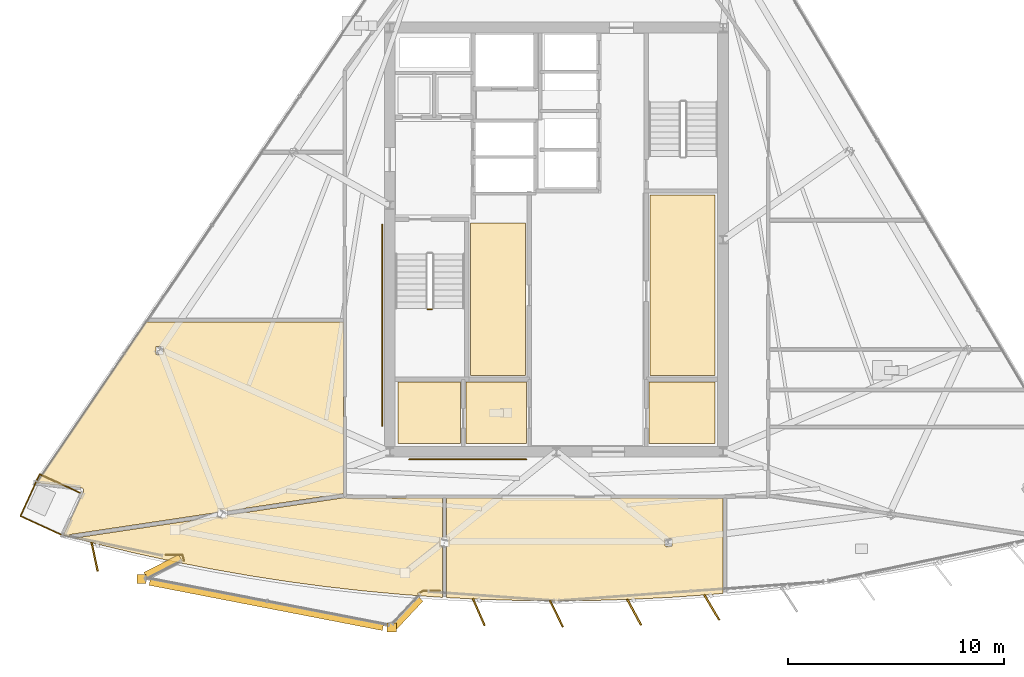
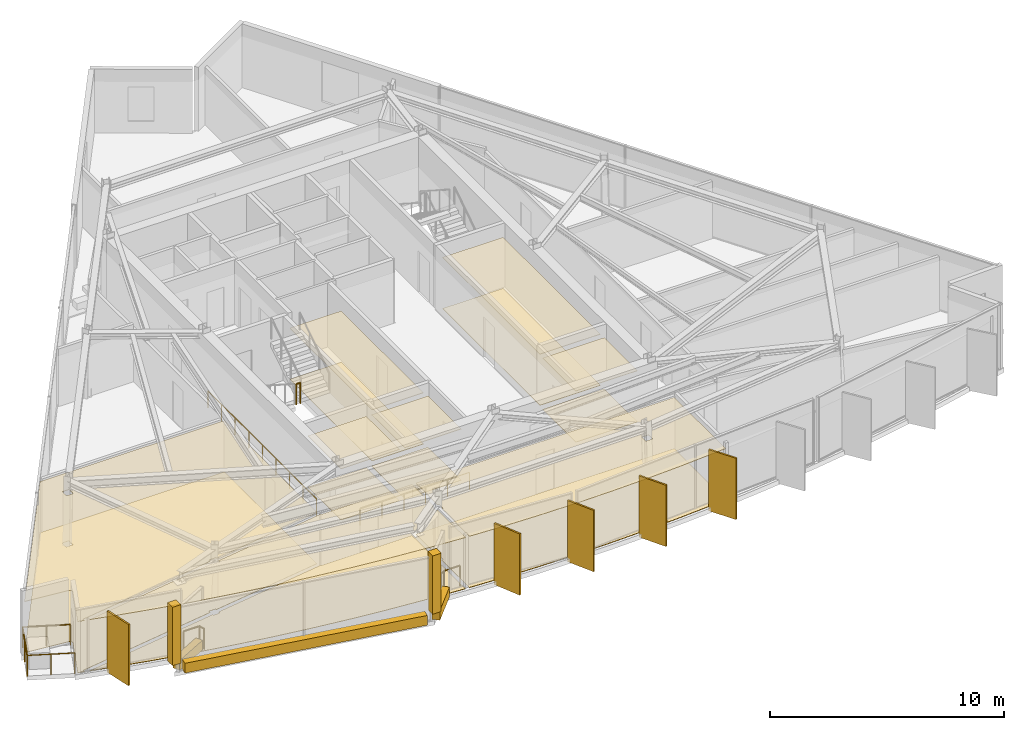
# One storey, part 10 of 13: 21 coverings, 8 railings, 5 shading devices.
"""IFC4 building model written with IfcOpenShell, lengths in metres."""

from ifc_helpers import new_model, si_unit, direction, frame, origin, origin_2d, place, context, subcontext, project, spatial, polyline, rectangle, circle, outline, extrude, material, layer, layer_set, type_object, element, save


model = new_model("IFC4")

# Units and contexts
model_context = context("Model", 3, precision=1e-05, world=origin(), true_north=direction((0.0, 1.0)))
body_context = subcontext(model_context, "Body", "Model", "MODEL_VIEW")
ifc_project = project(units=[si_unit("LENGTHUNIT", "METRE"), si_unit("AREAUNIT", "SQUARE_METRE"), si_unit("VOLUMEUNIT", "CUBIC_METRE"), si_unit("PLANEANGLEUNIT", "RADIAN"), si_unit("MASSUNIT", "GRAM", prefix="KILO")], contexts=[model_context])

# Site, building, storey
site_placement = place(None, origin())
site = spatial("IfcSite", under=ifc_project, at=site_placement, CompositionType="ELEMENT")
building_placement = place(site_placement, origin())
building = spatial("IfcBuilding", under=site, at=building_placement, Name="Savorim Split Tower", CompositionType="ELEMENT")
storey_placement = place(building_placement, frame((0.0, 0.0, 272.39990234375)))
storey = spatial("IfcBuildingStorey", under=building, at=storey_placement, Name="L72", CompositionType="ELEMENT", Elevation=272.39990234375)

# Coverings
ifc_material_1 = material(Name="Mineral Fibre Acoustic Ceiling")
ifc_layer_1 = layer(ifc_material_1, 0.02490234375)
ifc_layer_set_1 = layer_set([ifc_layer_1], Name="COV-CEIL-25")
covering_type_1 = type_object("IfcCoveringType", Name="COV-CEIL-25", PredefinedType="CEILING", material=ifc_layer_set_1)
covering_1_placement = place(storey_placement, frame((0.0, 0.0, 2.670166015625)))
element("IfcCovering", 1, at=covering_1_placement, inside=storey, type_object=covering_type_1, Name="L72 Shared Pantry and Linen Room Acoustic Ceiling", PredefinedType="CEILING", context=body_context, shape_type="SweptSolid", body=[
    extrude(outline(polyline([(4.330078125, 2.469970703125), (4.330078125, -5.8701171875), (7.320068359375, -5.8701171875), (7.320068359375, 2.469970703125), (4.330078125, 2.469970703125)])), origin(), (0.0, 0.0, 1.0), 0.02490234375),
])
covering_2_placement = place(storey_placement, frame((0.0, 0.0, 2.670166015625)))
element("IfcCovering", 2, at=covering_2_placement, inside=storey, type_object=covering_type_1, Name="L72 Housekeeping and Parcel Room Acoustic Ceiling", PredefinedType="CEILING", context=body_context, shape_type="SweptSolid", body=[
    extrude(outline(polyline([(-3.969970703125, 1.169921875), (-3.969970703125, -5.8701171875), (-1.429931640625, -5.8701171875), (-1.429931640625, 1.169921875), (-3.969970703125, 1.169921875)])), origin(), (0.0, 0.0, 1.0), 0.02490234375),
])
covering_3_placement = place(storey_placement, frame((0.0, 0.0, 2.670166015625)))
element("IfcCovering", 3, at=covering_3_placement, inside=storey, type_object=covering_type_1, Name="L72 Housekeeping Store Acoustic Ceiling", PredefinedType="CEILING", context=body_context, shape_type="SweptSolid", body=[
    extrude(outline(polyline([(-7.320068359375, -6.179931640625), (-7.320068359375, -9.02001953125), (-4.429931640625, -9.02001953125), (-4.429931640625, -6.179931640625), (-7.320068359375, -6.179931640625)])), origin(), (0.0, 0.0, 1.0), 0.02490234375),
])
covering_4_placement = place(storey_placement, frame((0.0, 0.0, 2.670166015625)))
element("IfcCovering", 4, at=covering_4_placement, inside=storey, type_object=covering_type_1, Name="L72 Accessible WC Acoustic Ceiling", PredefinedType="CEILING", context=body_context, shape_type="SweptSolid", body=[
    extrude(outline(polyline([(-4.169921875, -6.179931640625), (-4.169921875, -9.02001953125), (-1.3798828125, -9.02001953125), (-1.3798828125, -6.179931640625), (-4.169921875, -6.179931640625)])), origin(), (0.0, 0.0, 1.0), 0.02490234375),
])
covering_5_placement = place(storey_placement, frame((0.0, 0.0, 2.670166015625)))
element("IfcCovering", 5, at=covering_5_placement, inside=storey, type_object=covering_type_1, Name="L72 Core IT Server Room Acoustic Ceiling", PredefinedType="CEILING", context=body_context, shape_type="SweptSolid", body=[
    extrude(outline(polyline([(4.280029296875, -6.179931640625), (4.280029296875, -9.02001953125), (7.320068359375, -9.02001953125), (7.320068359375, -6.179931640625), (4.280029296875, -6.179931640625)])), origin(), (0.0, 0.0, 1.0), 0.02490234375),
])
covering_6_placement = place(storey_placement, frame((0.0, 0.0, 2.670166015625)))
element("IfcCovering", 6, at=covering_6_placement, inside=storey, type_object=covering_type_1, Name="L72 Co-Working Commons Acoustic Ceiling", PredefinedType="CEILING", context=body_context, shape_type="SweptSolid", body=[
    extrude(outline(polyline([(-21.83837890625, -11.17236328125), (-21.83837890625, -11.18408203125), (-21.839111328125, -11.196044921875), (-21.84130859375, -11.2080078125), (-21.8447265625, -11.21923828125), (-21.84912109375, -11.23046875), (-22.7783203125, -13.2529296875), (-22.474609375, -13.33251953125), (-22.49072265625, -13.224853515625), (-15.61083984375, -12.1953125), (-15.61083984375, -12.091796875), (-15.281982421875, -12.091796875), (-15.281982421875, -12.14599609375), (-9.85107421875, -11.333251953125), (-9.840087890625, -11.331787109375), (-9.840087890625, -3.412109375), (-18.9619140625, -3.412109375), (-24.0087890625, -10.83056640625), (-21.94482421875, -11.06103515625), (-21.93310546875, -11.06298828125), (-21.921630859375, -11.06591796875), (-21.910400390625, -11.0703125), (-21.899658203125, -11.075439453125), (-21.8896484375, -11.081787109375), (-21.880126953125, -11.089111328125), (-21.87158203125, -11.097412109375), (-21.86376953125, -11.1064453125), (-21.856689453125, -11.1162109375), (-21.850830078125, -11.12646484375), (-21.84619140625, -11.137451171875), (-21.84228515625, -11.148681640625), (-21.83984375, -11.160400390625), (-21.83837890625, -11.17236328125)]), holes=[polyline([(-18.505615234375, -4.892822265625), (-18.1767578125, -4.892822265625), (-18.1767578125, -4.542724609375), (-18.505615234375, -4.542724609375), (-18.505615234375, -4.892822265625)])]), origin(), (0.0, 0.0, 1.0), 0.02490234375),
])
covering_7_placement = place(storey_placement, frame((0.0, 0.0, 2.670166015625)))
element("IfcCovering", 7, at=covering_7_placement, inside=storey, type_object=covering_type_1, Name="L72 Communal Lounge Acoustic Ceiling", PredefinedType="CEILING", context=body_context, shape_type="SweptSolid", body=[
    extrude(outline(polyline([(-10.67529296875, -15.626953125), (-8.90283203125, -15.827392578125), (-7.126953125, -15.991455078125), (-5.34765625, -16.118896484375), (-5.27197265625, -16.122802734375), (-5.27197265625, -13.76025390625), (-5.34130859375, -13.76025390625), (-5.34130859375, -13.41015625), (-5.27197265625, -13.41015625), (-5.27197265625, -11.5400390625), (-9.699951171875, -11.5400390625), (-9.713623046875, -11.539306640625), (-9.727294921875, -11.537353515625), (-9.740478515625, -11.533935546875), (-9.753662109375, -11.529296875), (-9.76611328125, -11.5234375), (-9.77783203125, -11.516357421875), (-9.77978515625, -11.514892578125), (-15.281982421875, -12.338134765625), (-15.281982421875, -12.441650390625), (-15.61083984375, -12.441650390625), (-15.61083984375, -12.387451171875), (-22.27490234375, -13.384521484375), (-21.18994140625, -13.668212890625), (-19.45556640625, -14.084228515625), (-17.712890625, -14.464599609375), (-15.962646484375, -14.80908203125), (-14.2060546875, -15.117919921875), (-12.443359375, -15.390380859375), (-10.67529296875, -15.626953125)])), origin(), (0.0, 0.0, 1.0), 0.02490234375),
])
covering_8_placement = place(storey_placement, frame((0.0, 0.0, 2.670166015625)))
element("IfcCovering", 8, at=covering_8_placement, inside=storey, type_object=covering_type_1, Name="L72 Quiet Study Room Acoustic Ceiling", PredefinedType="CEILING", context=body_context, shape_type="SweptSolid", body=[
    extrude(outline(polyline([(3.56640625, -16.210205078125), (5.34765625, -16.118896484375), (7.126953125, -15.991455078125), (7.68798828125, -15.939697265625), (7.68798828125, -11.5400390625), (-5.081787109375, -11.5400390625), (-5.081787109375, -13.41015625), (-5.012451171875, -13.41015625), (-5.012451171875, -13.76025390625), (-5.081787109375, -13.76025390625), (-5.081787109375, -16.07763671875), (-5.081787109375, -16.132568359375), (-3.56640625, -16.210205078125), (-1.783447265625, -16.264892578125), (0.0, -16.283203125), (1.783447265625, -16.264892578125), (3.56640625, -16.210205078125)]), holes=[polyline([(5.012451171875, -13.76025390625), (5.34130859375, -13.76025390625), (5.34130859375, -13.41015625), (5.012451171875, -13.41015625), (5.012451171875, -13.76025390625)])]), origin(), (0.0, 0.0, 1.0), 0.02490234375),
])
ifc_material_2 = material(Name="Porcelain Stoneware Flooring", Category="masonry")
ifc_layer_2 = layer(ifc_material_2, 0.02001953125)
ifc_layer_set_2 = layer_set([ifc_layer_2], Name="COV-FLOR-20")
covering_type_2 = type_object("IfcCoveringType", Name="COV-FLOR-20", PredefinedType="FLOORING", material=ifc_layer_set_2)
covering_9_placement = place(storey_placement, origin())
element("IfcCovering", 9, at=covering_9_placement, inside=storey, type_object=covering_type_2, Name="L72 Shared Pantry and Linen Room Porcelain Flooring", PredefinedType="FLOORING", context=body_context, shape_type="SweptSolid", body=[
    extrude(outline(polyline([(4.330078125, 2.469970703125), (4.330078125, -5.8701171875), (7.320068359375, -5.8701171875), (7.320068359375, 2.469970703125), (4.330078125, 2.469970703125)])), origin(), (0.0, 0.0, 1.0), 0.02001953125),
])
covering_10_placement = place(storey_placement, origin())
element("IfcCovering", 10, at=covering_10_placement, inside=storey, type_object=covering_type_2, Name="L72 Housekeeping and Parcel Room Porcelain Flooring", PredefinedType="FLOORING", context=body_context, shape_type="SweptSolid", body=[
    extrude(outline(polyline([(-3.969970703125, 1.169921875), (-3.969970703125, -5.8701171875), (-1.429931640625, -5.8701171875), (-1.429931640625, 1.169921875), (-3.969970703125, 1.169921875)])), origin(), (0.0, 0.0, 1.0), 0.02001953125),
])
covering_11_placement = place(storey_placement, origin())
element("IfcCovering", 11, at=covering_11_placement, inside=storey, type_object=covering_type_2, Name="L72 Housekeeping Store Porcelain Flooring", PredefinedType="FLOORING", context=body_context, shape_type="SweptSolid", body=[
    extrude(outline(polyline([(-7.320068359375, -6.179931640625), (-7.320068359375, -9.02001953125), (-4.429931640625, -9.02001953125), (-4.429931640625, -6.179931640625), (-7.320068359375, -6.179931640625)])), origin(), (0.0, 0.0, 1.0), 0.02001953125),
])
covering_12_placement = place(storey_placement, origin())
element("IfcCovering", 12, at=covering_12_placement, inside=storey, type_object=covering_type_2, Name="L72 Accessible WC Porcelain Flooring", PredefinedType="FLOORING", context=body_context, shape_type="SweptSolid", body=[
    extrude(outline(polyline([(-4.169921875, -6.179931640625), (-4.169921875, -9.02001953125), (-1.3798828125, -9.02001953125), (-1.3798828125, -6.179931640625), (-4.169921875, -6.179931640625)])), origin(), (0.0, 0.0, 1.0), 0.02001953125),
])
covering_13_placement = place(storey_placement, origin())
element("IfcCovering", 13, at=covering_13_placement, inside=storey, type_object=covering_type_2, Name="L72 Core IT Server Room Porcelain Flooring", PredefinedType="FLOORING", context=body_context, shape_type="SweptSolid", body=[
    extrude(outline(polyline([(4.280029296875, -6.179931640625), (4.280029296875, -9.02001953125), (7.320068359375, -9.02001953125), (7.320068359375, -6.179931640625), (4.280029296875, -6.179931640625)])), origin(), (0.0, 0.0, 1.0), 0.02001953125),
])
covering_14_placement = place(storey_placement, origin())
element("IfcCovering", 14, at=covering_14_placement, inside=storey, type_object=covering_type_2, Name="L72 Co-Working Commons Porcelain Flooring", PredefinedType="FLOORING", context=body_context, shape_type="SweptSolid", body=[
    extrude(outline(polyline([(-21.83837890625, -11.17236328125), (-21.83837890625, -11.18408203125), (-21.839111328125, -11.196044921875), (-21.84130859375, -11.2080078125), (-21.8447265625, -11.21923828125), (-21.84912109375, -11.23046875), (-22.7783203125, -13.2529296875), (-22.474609375, -13.33251953125), (-22.49072265625, -13.224853515625), (-15.61083984375, -12.1953125), (-15.61083984375, -12.091796875), (-15.281982421875, -12.091796875), (-15.281982421875, -12.14599609375), (-9.85107421875, -11.333251953125), (-9.840087890625, -11.331787109375), (-9.840087890625, -3.412109375), (-18.9619140625, -3.412109375), (-24.0087890625, -10.83056640625), (-21.94482421875, -11.06103515625), (-21.93310546875, -11.06298828125), (-21.921630859375, -11.06591796875), (-21.910400390625, -11.0703125), (-21.899658203125, -11.075439453125), (-21.8896484375, -11.081787109375), (-21.880126953125, -11.089111328125), (-21.87158203125, -11.097412109375), (-21.86376953125, -11.1064453125), (-21.856689453125, -11.1162109375), (-21.850830078125, -11.12646484375), (-21.84619140625, -11.137451171875), (-21.84228515625, -11.148681640625), (-21.83984375, -11.160400390625), (-21.83837890625, -11.17236328125)]), holes=[polyline([(-18.505615234375, -4.892822265625), (-18.1767578125, -4.892822265625), (-18.1767578125, -4.542724609375), (-18.505615234375, -4.542724609375), (-18.505615234375, -4.892822265625)])]), origin(), (0.0, 0.0, 1.0), 0.02001953125),
])
covering_15_placement = place(storey_placement, origin())
element("IfcCovering", 15, at=covering_15_placement, inside=storey, type_object=covering_type_2, Name="L72 Communal Lounge Porcelain Flooring", PredefinedType="FLOORING", context=body_context, shape_type="SweptSolid", body=[
    extrude(outline(polyline([(-10.67529296875, -15.626953125), (-8.90283203125, -15.827392578125), (-7.126953125, -15.991455078125), (-5.34765625, -16.118896484375), (-5.27197265625, -16.122802734375), (-5.27197265625, -13.76025390625), (-5.34130859375, -13.76025390625), (-5.34130859375, -13.41015625), (-5.27197265625, -13.41015625), (-5.27197265625, -11.5400390625), (-9.699951171875, -11.5400390625), (-9.713623046875, -11.539306640625), (-9.727294921875, -11.537353515625), (-9.740478515625, -11.533935546875), (-9.753662109375, -11.529296875), (-9.76611328125, -11.5234375), (-9.77783203125, -11.516357421875), (-9.77978515625, -11.514892578125), (-15.281982421875, -12.338134765625), (-15.281982421875, -12.441650390625), (-15.61083984375, -12.441650390625), (-15.61083984375, -12.387451171875), (-22.27490234375, -13.384521484375), (-21.18994140625, -13.668212890625), (-19.45556640625, -14.084228515625), (-17.712890625, -14.464599609375), (-15.962646484375, -14.80908203125), (-14.2060546875, -15.117919921875), (-12.443359375, -15.390380859375), (-10.67529296875, -15.626953125)])), origin(), (0.0, 0.0, 1.0), 0.02001953125),
])
covering_16_placement = place(storey_placement, origin())
element("IfcCovering", 16, at=covering_16_placement, inside=storey, type_object=covering_type_2, Name="L72 Quiet Study Room Porcelain Flooring", PredefinedType="FLOORING", context=body_context, shape_type="SweptSolid", body=[
    extrude(outline(polyline([(3.56640625, -16.210205078125), (5.34765625, -16.118896484375), (7.126953125, -15.991455078125), (7.68798828125, -15.939697265625), (7.68798828125, -11.5400390625), (-5.081787109375, -11.5400390625), (-5.081787109375, -13.41015625), (-5.012451171875, -13.41015625), (-5.012451171875, -13.76025390625), (-5.081787109375, -13.76025390625), (-5.081787109375, -16.07763671875), (-5.081787109375, -16.132568359375), (-3.56640625, -16.210205078125), (-1.783447265625, -16.264892578125), (0.0, -16.283203125), (1.783447265625, -16.264892578125), (3.56640625, -16.210205078125)]), holes=[polyline([(5.012451171875, -13.76025390625), (5.34130859375, -13.76025390625), (5.34130859375, -13.41015625), (5.012451171875, -13.41015625), (5.012451171875, -13.76025390625)])]), origin(), (0.0, 0.0, 1.0), 0.02001953125),
])
ifc_material_3 = material(Name="White Porcelain Architectural Cladding")
ifc_layer_3 = layer(ifc_material_3, 0.139892578125)
ifc_layer_set_3 = layer_set([ifc_layer_3], Name="COV-FRM-WHITE")
covering_type_3 = type_object("IfcCoveringType", Name="COV-FRM-WHITE", PredefinedType="CLADDING", material=ifc_layer_set_3)
covering_17_placement = place(storey_placement, frame((0.0, 0.0, 0.010009765625)))
element("IfcCovering", 17, at=covering_17_placement, inside=storey, type_object=covering_type_3, Name="L72 Cantilevered Lounge White Lower Frame Band W", PredefinedType="CLADDING", context=body_context, shape_type="SweptSolid", body=[
    extrude(outline(polyline([(-17.45263671875, -14.148193359375), (-19.0546875, -14.968505859375), (-18.899658203125, -15.271240234375), (-17.297607421875, -14.45068359375), (-17.45263671875, -14.148193359375)])), origin(), (0.0, 0.0, 1.0), 0.510009765625),
])
covering_18_placement = place(storey_placement, frame((0.0, 0.0, 0.010009765625)))
element("IfcCovering", 18, at=covering_18_placement, inside=storey, type_object=covering_type_3, Name="L72 Cantilevered Lounge White Lower Frame Band F", PredefinedType="CLADDING", context=body_context, shape_type="SweptSolid", body=[
    extrude(outline(polyline([(-18.817138671875, -15.56591796875), (-8.04248046875, -17.656982421875), (-7.9775390625, -17.3232421875), (-18.75244140625, -15.232177734375), (-18.817138671875, -15.56591796875)])), origin(), (0.0, 0.0, 1.0), 0.510009765625),
])
covering_19_placement = place(storey_placement, frame((0.0, 0.0, 0.010009765625)))
element("IfcCovering", 19, at=covering_19_placement, inside=storey, type_object=covering_type_3, Name="L72 Cantilevered Lounge White Lower Frame Band E", PredefinedType="CLADDING", context=body_context, shape_type="SweptSolid", body=[
    extrude(outline(polyline([(-7.392578125, -17.609375), (-6.16162109375, -16.296142578125), (-6.40966796875, -16.0634765625), (-7.640625, -17.376708984375), (-7.392578125, -17.609375)])), origin(), (0.0, 0.0, 1.0), 0.510009765625),
])
covering_20_placement = place(storey_placement, frame((0.0, 0.0, 0.5400390625)))
element("IfcCovering", 20, at=covering_20_placement, inside=storey, type_object=covering_type_3, Name="L72 Cantilevered Lounge White Frame Corner Post 1", PredefinedType="CLADDING", context=body_context, shape_type="SweptSolid", body=[
    extrude(outline(polyline([(-19.3779296875, -15.48388671875), (-18.9580078125, -15.48388671875), (-18.9580078125, -15.063720703125), (-19.3779296875, -15.063720703125), (-19.3779296875, -15.48388671875)])), origin(), (0.0, 0.0, 1.0), 3.050048828125),
])
covering_21_placement = place(storey_placement, frame((0.0, 0.0, 0.5400390625)))
element("IfcCovering", 21, at=covering_21_placement, inside=storey, type_object=covering_type_3, Name="L72 Cantilevered Lounge White Frame Corner Post 2", PredefinedType="CLADDING", context=body_context, shape_type="SweptSolid", body=[
    extrude(outline(polyline([(-7.81787109375, -17.727294921875), (-7.397705078125, -17.727294921875), (-7.397705078125, -17.307373046875), (-7.81787109375, -17.307373046875), (-7.81787109375, -17.727294921875)])), origin(), (0.0, 0.0, 1.0), 3.050048828125),
])

# Railings
ifc_material_4 = material(Name="Galvanised Painted Steel Balustrade", Category="steel")
railing_type_1 = type_object("IfcRailingType", Name="RLG-BAL-1100", PredefinedType="BALUSTRADE", material=ifc_material_4)
railing_1_placement = place(storey_placement, frame((-18.06103515625, -14.157470703125, 0.0)))
element("IfcRailing", 22, at=railing_1_placement, inside=storey, type_object=railing_type_1, Name="L72 Cantilevered Lounge West Edge Closure Guard", PredefinedType="BALUSTRADE", context=body_context, shape_type="SweptSolid", body=[
    extrude(circle(Radius=0.02392578125, at=origin_2d()), frame((0.0, 0.0, 1.076171875), z_axis=(1.0, 0.0, 0.0), x_axis=(0.0, 1.0, 0.0)), (0.0, 0.0, 1.0), 0.780029296875),
    extrude(circle(Radius=0.02392578125, at=origin_2d()), frame((0.780029296875, 0.0, 1.076171875), z_axis=(0.260219043811, -0.965549609931, 0.0), x_axis=(0.965549609931, 0.260219043811, 0.0)), (0.0, 0.0, 1.0), 0.28515625),
    extrude(circle(Radius=0.02099609375, at=origin_2d()), origin(), (0.0, 0.0, 1.0), 1.052001953125),
    extrude(circle(Radius=0.02099609375, at=origin_2d()), frame((0.780029296875, 0.0, 0.0)), (0.0, 0.0, 1.0), 1.052001953125),
    extrude(circle(Radius=0.02099609375, at=origin_2d()), frame((0.854248046875, -0.275390625, 0.0)), (0.0, 0.0, 1.0), 1.052001953125),
])
railing_2_placement = place(storey_placement, frame((-6.3857421875, -15.96044921875, 0.0)))
element("IfcRailing", 23, at=railing_2_placement, inside=storey, type_object=railing_type_1, Name="L72 Cantilevered Lounge East Edge Closure Guard", PredefinedType="BALUSTRADE", context=body_context, shape_type="SweptSolid", body=[
    extrude(circle(Radius=0.02392578125, at=origin_2d()), frame((0.0, 0.0, 1.076171875), z_axis=(0.85212835353, 0.523332847345, 0.0), x_axis=(-0.523332847345, 0.85212835353, 0.0)), (0.0, 0.0, 1.0), 0.267333984375),
    extrude(circle(Radius=0.02392578125, at=origin_2d()), frame((0.227783203125, 0.139892578125, 1.076171875), z_axis=(1.0, 0.0, 0.0), x_axis=(0.0, 1.0, 0.0)), (0.0, 0.0, 1.0), 0.780029296875),
    extrude(circle(Radius=0.02099609375, at=origin_2d()), origin(), (0.0, 0.0, 1.0), 1.052001953125),
    extrude(circle(Radius=0.02099609375, at=origin_2d()), frame((0.227783203125, 0.139892578125, 0.0)), (0.0, 0.0, 1.0), 1.052001953125),
    extrude(circle(Radius=0.02099609375, at=origin_2d()), frame((1.0078125, 0.139892578125, 0.0)), (0.0, 0.0, 1.0), 1.052001953125),
])
railing_3_placement = place(storey_placement, frame((-22.897216796875, -13.223876953125, 0.0)))
element("IfcRailing", 24, at=railing_3_placement, inside=storey, type_object=railing_type_1, Name="L72 Tree Balcony Guardrail SW-1", PredefinedType="BALUSTRADE", context=body_context, shape_type="SweptSolid", body=[
    extrude(circle(Radius=0.02392578125, at=origin_2d()), frame((0.0, 0.0, 1.076171875), z_axis=(-0.908662190505, 0.417532062898, 0.0), x_axis=(-0.417532062898, -0.908662190505, 0.0)), (0.0, 0.0, 1.0), 2.050048828125),
    extrude(circle(Radius=0.02099609375, at=origin_2d()), origin(), (0.0, 0.0, 1.0), 1.052001953125),
    extrude(circle(Radius=0.02099609375, at=origin_2d()), frame((-0.931396484375, 0.427978515625, 0.0)), (0.0, 0.0, 1.0), 1.052001953125),
    extrude(circle(Radius=0.02099609375, at=origin_2d()), frame((-1.86279296875, 0.85595703125, 0.0)), (0.0, 0.0, 1.0), 1.052001953125),
])
railing_4_placement = place(storey_placement, frame((-24.760009765625, -12.367919921875, 0.0)))
element("IfcRailing", 25, at=railing_4_placement, inside=storey, type_object=railing_type_1, Name="L72 Tree Balcony Guardrail SW-2", PredefinedType="BALUSTRADE", context=body_context, shape_type="SweptSolid", body=[
    extrude(circle(Radius=0.02392578125, at=origin_2d()), frame((0.0, 0.0, 1.076171875), z_axis=(0.41752320278, 0.908666261694, 0.0), x_axis=(-0.908666261694, 0.41752320278, 0.0)), (0.0, 0.0, 1.0), 2.12890625),
    extrude(circle(Radius=0.02099609375, at=origin_2d()), origin(), (0.0, 0.0, 1.0), 1.052001953125),
    extrude(circle(Radius=0.02099609375, at=origin_2d()), frame((0.4443359375, 0.96728515625, 0.0)), (0.0, 0.0, 1.0), 1.052001953125),
    extrude(circle(Radius=0.02099609375, at=origin_2d()), frame((0.888916015625, 1.9345703125, 0.0)), (0.0, 0.0, 1.0), 1.052001953125),
])
railing_5_placement = place(storey_placement, frame((-23.87109375, -10.433349609375, 0.0)))
element("IfcRailing", 26, at=railing_5_placement, inside=storey, type_object=railing_type_1, Name="L72 Tree Balcony Guardrail SW-3", PredefinedType="BALUSTRADE", context=body_context, shape_type="SweptSolid", body=[
    extrude(circle(Radius=0.02392578125, at=origin_2d()), frame((0.0, 0.0, 1.076171875), z_axis=(0.908662190505, -0.417532062898, 0.0), x_axis=(0.417532062898, 0.908662190505, 0.0)), (0.0, 0.0, 1.0), 2.050048828125),
    extrude(circle(Radius=0.02099609375, at=origin_2d()), origin(), (0.0, 0.0, 1.0), 1.052001953125),
    extrude(circle(Radius=0.02099609375, at=origin_2d()), frame((0.931396484375, -0.427978515625, 0.0)), (0.0, 0.0, 1.0), 1.052001953125),
    extrude(circle(Radius=0.02099609375, at=origin_2d()), frame((1.86279296875, -0.85595703125, 0.0)), (0.0, 0.0, 1.0), 1.052001953125),
])
railing_type_2 = type_object("IfcRailingType", Name="RLG-HR-900", PredefinedType="HANDRAIL", material=ifc_material_4)
railing_6_placement = place(storey_placement, frame((-6.800048828125, -9.75, 0.0)))
element("IfcRailing", 27, at=railing_6_placement, inside=storey, type_object=railing_type_2, Name="L72 Corridor South Accessible Handrail", PredefinedType="HANDRAIL", context=body_context, shape_type="SweptSolid", body=[
    extrude(circle(Radius=0.02392578125, at=origin_2d()), frame((0.0, 0.0, 0.8759765625), z_axis=(1.0, 0.0, 0.0), x_axis=(0.0, 1.0, 0.0)), (0.0, 0.0, 1.0), 5.400146484375),
    extrude(circle(Radius=0.02099609375, at=origin_2d()), origin(), (0.0, 0.0, 1.0), 0.851806640625),
    extrude(circle(Radius=0.02099609375, at=origin_2d()), frame((1.080078125, 0.0, 0.0)), (0.0, 0.0, 1.0), 0.851806640625),
    extrude(circle(Radius=0.02099609375, at=origin_2d()), frame((2.16015625, 0.0, 0.0)), (0.0, 0.0, 1.0), 0.851806640625),
    extrude(circle(Radius=0.02099609375, at=origin_2d()), frame((3.239990234375, 0.0, 0.0)), (0.0, 0.0, 1.0), 0.851806640625),
    extrude(circle(Radius=0.02099609375, at=origin_2d()), frame((4.320068359375, 0.0, 0.0)), (0.0, 0.0, 1.0), 0.851806640625),
    extrude(circle(Radius=0.02099609375, at=origin_2d()), frame((5.400146484375, 0.0, 0.0)), (0.0, 0.0, 1.0), 0.851806640625),
])
railing_7_placement = place(storey_placement, frame((-8.050048828125, -8.199951171875, 0.0)))
element("IfcRailing", 28, at=railing_7_placement, inside=storey, type_object=railing_type_2, Name="L72 Corridor West Accessible Handrail", PredefinedType="HANDRAIL", context=body_context, shape_type="SweptSolid", body=[
    extrude(circle(Radius=0.02392578125, at=origin_2d()), frame((0.0, 0.0, 0.8759765625), z_axis=(0.0, 1.0, 0.0), x_axis=(-1.0, 0.0, 0.0)), (0.0, 0.0, 1.0), 9.300048828125),
    extrude(circle(Radius=0.02099609375, at=origin_2d()), origin(), (0.0, 0.0, 1.0), 0.851806640625),
    extrude(circle(Radius=0.02099609375, at=origin_2d()), frame((0.0, 1.16259765625, 0.0)), (0.0, 0.0, 1.0), 0.851806640625),
    extrude(circle(Radius=0.02099609375, at=origin_2d()), frame((0.0, 2.324951171875, 0.0)), (0.0, 0.0, 1.0), 0.851806640625),
    extrude(circle(Radius=0.02099609375, at=origin_2d()), frame((0.0, 3.487548828125, 0.0)), (0.0, 0.0, 1.0), 0.851806640625),
    extrude(circle(Radius=0.02099609375, at=origin_2d()), frame((0.0, 4.64990234375, 0.0)), (0.0, 0.0, 1.0), 0.851806640625),
    extrude(circle(Radius=0.02099609375, at=origin_2d()), frame((0.0, 5.8125, 0.0)), (0.0, 0.0, 1.0), 0.851806640625),
    extrude(circle(Radius=0.02099609375, at=origin_2d()), frame((0.0, 6.97509765625, 0.0)), (0.0, 0.0, 1.0), 0.851806640625),
    extrude(circle(Radius=0.02099609375, at=origin_2d()), frame((0.0, 8.137451171875, 0.0)), (0.0, 0.0, 1.0), 0.851806640625),
    extrude(circle(Radius=0.02099609375, at=origin_2d()), frame((0.0, 9.300048828125, 0.0)), (0.0, 0.0, 1.0), 0.851806640625),
])
railing_type_3 = type_object("IfcRailingType", Name="RLG-STG-1100", PredefinedType="BALUSTRADE", material=ifc_material_4)
railing_8_placement = place(storey_placement, frame((-5.949951171875, -2.820068359375, 1.800048828125)))
element("IfcRailing", 29, at=railing_8_placement, inside=storey, type_object=railing_type_3, Name="L72 ST-1 stair guard 2", PredefinedType="BALUSTRADE", context=body_context, shape_type="SweptSolid", body=[
    extrude(circle(Radius=0.02392578125, at=origin_2d()), frame((0.0, 0.0, 1.076171875), z_axis=(1.0, 0.0, 0.0), x_axis=(0.0, 1.0, 0.0)), (0.0, 0.0, 1.0), 0.199951171875),
    extrude(circle(Radius=0.02099609375, at=origin_2d()), origin(), (0.0, 0.0, 1.0), 1.052001953125),
    extrude(circle(Radius=0.02099609375, at=origin_2d()), frame((0.199951171875, 0.0, 0.0)), (0.0, 0.0, 1.0), 1.052001953125),
])

# Shading devices
ifc_material_5 = material(Name="Terracotta Ceramic-Coated Aluminium Fin", Category="masonry")
shading_device_type = type_object("IfcShadingDeviceType", Name="SHD-FIN-1360", PredefinedType="USERDEFINED", material=ifc_material_5)
for number, where, z_axis, x_axis, name in (
    (30, (-21.3349609375, -14.246337890625, -0.19970703125), (0.0, 0.0, 1.0), (0.206721626106, -0.978399800337, 0.0), "L72 Sawtooth Shading Fin 01"),
    (31, (-3.5908203125, -16.8056640625, -0.19970703125), (0.0, 0.0, 1.0), (0.401230091723, -0.915977299662, 0.0), "L72 Sawtooth Shading Fin 06"),
    (32, (0.0, -16.879150390625, -0.19970703125), (0.0, 0.0, 1.0), (0.438371146789, -0.898794046299, 0.0), "L72 Sawtooth Shading Fin 07"),
    (33, (3.5908203125, -16.8056640625, -0.19970703125), (0.0, 0.0, 1.0), (0.474778051978, -0.880105562623, 0.0), "L72 Sawtooth Shading Fin 08"),
    (34, (7.175537109375, -16.58544921875, -0.19970703125), (0.0, 0.0, 1.0), (0.510391336723, -0.859942255851, 0.0), "L72 Sawtooth Shading Fin 09"),
):
    element("IfcShadingDevice", number, at=place(storey_placement, frame(where, z_axis=z_axis, x_axis=x_axis)), inside=storey, type_object=shading_device_type, Name=name, ObjectType="FIN", PredefinedType="USERDEFINED", context=body_context, shape_type="SweptSolid", body=[
        extrude(rectangle(XDim=1.360107421875, YDim=0.080078125, at=origin_2d()), origin(), (0.0, 0.0, 1.0), 3.199951171875),
    ])

save(model, "model.ifc")
